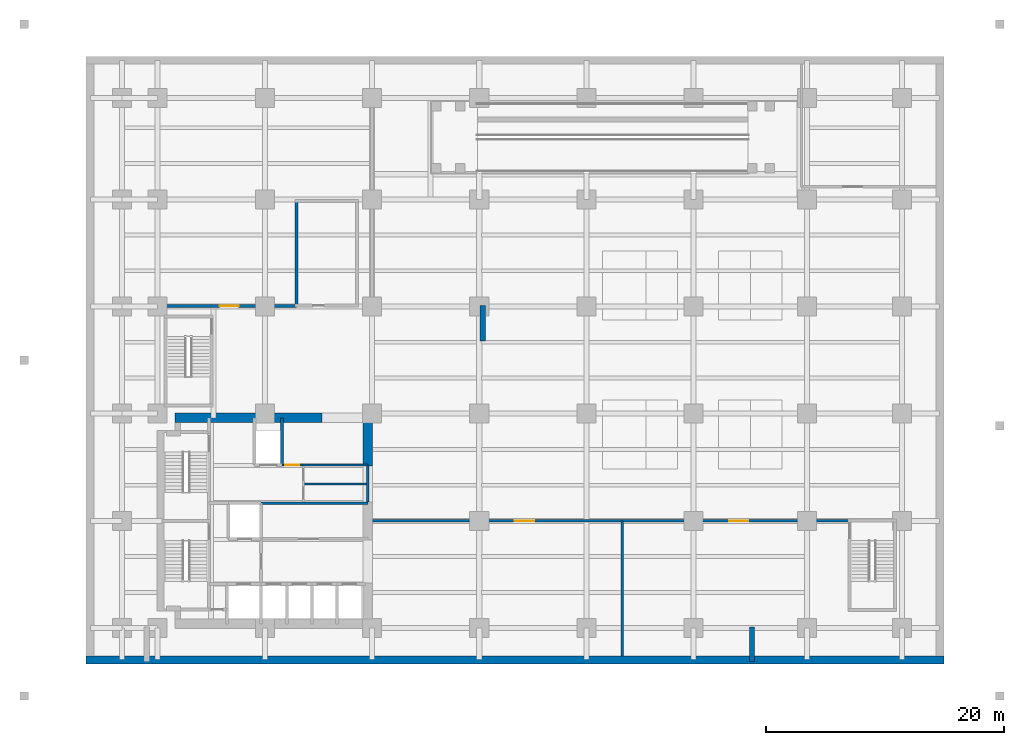
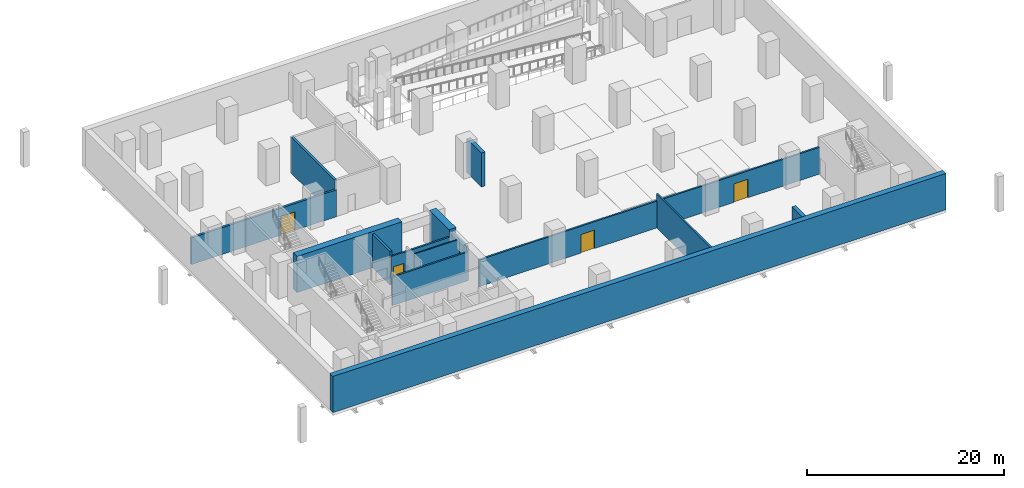
# One storey, part 6 of 10: 15 walls, 4 doors, 4 openings.
"""IFC4 building model written with IfcOpenShell, lengths in metres."""

from ifc_helpers import new_model, si_unit, direction, frame, frame_2d, origin, place, context, subcontext, project, spatial, rectangle, extrude, material, layer, layer_set, type_object, element, fill, save


model = new_model("IFC4")

# Units and contexts
model_context = context("Model", 3, precision=1e-05, world=origin(), true_north=direction((0.0, 1.0)))
body_context = subcontext(model_context, "Body", "Model", "MODEL_VIEW")
ifc_project = project(units=[si_unit("LENGTHUNIT", "METRE"), si_unit("AREAUNIT", "SQUARE_METRE"), si_unit("VOLUMEUNIT", "CUBIC_METRE"), si_unit("PLANEANGLEUNIT", "RADIAN"), si_unit("MASSUNIT", "GRAM", prefix="KILO")], contexts=[model_context])

# Site, building, storey
site_placement = place(None, origin())
site = spatial("IfcSite", under=ifc_project, at=site_placement, CompositionType="ELEMENT")
building_placement = place(site_placement, origin())
building = spatial("IfcBuilding", under=site, at=building_placement, Name="Mawjdan Bourse Tower", CompositionType="ELEMENT")
storey_placement = place(building_placement, frame((0.0, 0.0, -4.5)))
storey = spatial("IfcBuildingStorey", under=building, at=storey_placement, Name="B01", CompositionType="ELEMENT", Elevation=-4.5)

# Wall, opening, door
ifc_material_1 = material(Name="Gypsum Fireboard Assembly")
ifc_layer_1 = layer(ifc_material_1, 0.199951171875)
ifc_layer_set_1 = layer_set([ifc_layer_1], Name="Gypsum Fireboard Assembly")
wall_type_1 = type_object("IfcWallType", Name="WL-CMP-200", PredefinedType="PARTITIONING", material=ifc_layer_set_1)
wall_1_placement = place(storey_placement, frame((16.449951171875, 16.699951171875, 0.0), z_axis=(0.0, 0.0, 1.0), x_axis=(1.0, 0.0, 0.0)))
wall_1 = element("IfcWall", 1, at=wall_1_placement, inside=storey, type_object=wall_type_1, Name="B01 Basement Core Header South Wall", PredefinedType="PARTITIONING", context=body_context, shape_type="SweptSolid", body=[
    extrude(rectangle(XDim=7.199951171875, YDim=0.199951171875, at=frame_2d((3.60009765625, 0.0))), origin(), (0.0, 0.0, 1.0), 3.572998046875),
])
opening_1_placement = place(wall_1_placement, frame((0.25, 0.0, 0.0)))
opening_1 = element("IfcOpeningElement", 2, at=opening_1_placement, cuts=wall_1, Name="Opening PD-B01-10", PredefinedType="OPENING", context=body_context, shape_type="SweptSolid", body=[
    extrude(rectangle(XDim=1.199951171875, YDim=2.199951171875, at=frame_2d((0.60009765625, 1.10009765625))), frame((0.0, 0.10986328125, 0.0), z_axis=(0.0, -1.0, 0.0), x_axis=(1.0, 0.0, 0.0)), (0.0, 0.0, 1.0), 0.219970703125),
])
ifc_material_2 = material(Name="Fire-Rated Steel Leaf", Category="steel")
door_type_1 = type_object("IfcDoorType", Name="FD-FFL-1200", OperationType="NOTDEFINED", PredefinedType="DOOR", material=ifc_material_2)
door_1_placement = place(opening_1_placement, origin())
door_1 = element("IfcDoor", 3, at=door_1_placement, inside=storey, type_object=door_type_1, Name="B01 Core Header Room Door PD-B01-10", OperationType="SINGLE_SWING_RIGHT", OverallHeight=2.199951171875, OverallWidth=1.199951171875, PredefinedType="DOOR", context=body_context, shape_type="SweptSolid", body=[
    extrude(rectangle(XDim=1.199951171875, YDim=2.199951171875, at=frame_2d((0.60009765625, 1.10009765625))), frame((0.0, 0.02490234375, 0.0), z_axis=(0.0, -1.0, 0.0), x_axis=(1.0, 0.0, 0.0)), (0.0, 0.0, 1.0), 0.050048828125),
])
fill(opening_1, door_1)

# Walls
wall_2_placement = place(storey_placement, frame((14.699951171875, 13.5, 0.0), z_axis=(0.0, 0.0, 1.0), x_axis=(1.0, 0.0, 0.0)))
element("IfcWall", 4, at=wall_2_placement, inside=storey, type_object=wall_type_1, Name="B01 Basement Switchroom North Wall", PredefinedType="PARTITIONING", context=body_context, shape_type="SweptSolid", body=[
    extrude(rectangle(XDim=8.949951171875, YDim=0.199951171875, at=frame_2d((4.47509765625, 0.0))), origin(), (0.0, 0.0, 1.0), 3.572998046875),
])
wall_3_placement = place(storey_placement, frame((23.64990234375, 13.60009765625, 0.0), z_axis=(0.0, 0.0, 1.0), x_axis=(0.0, 1.0, 0.0)))
element("IfcWall", 5, at=wall_3_placement, inside=storey, type_object=wall_type_1, Name="B01 Core Restroom East Enclosing Wall", PredefinedType="PARTITIONING", context=body_context, shape_type="SweptSolid", body=[
    extrude(rectangle(XDim=3.0, YDim=0.199951171875, at=frame_2d((1.5, 0.0))), origin(), (0.0, 0.0, 1.0), 4.18994140625),
])
wall_4_placement = place(storey_placement, frame((45.0, 0.64990234375, 0.0), z_axis=(0.0, 0.0, 1.0), x_axis=(0.0, 1.0, 0.0)))
element("IfcWall", 6, at=wall_4_placement, inside=storey, type_object=wall_type_1, Name="B01 Basement South Plant Split Wall", PredefinedType="PARTITIONING", context=body_context, shape_type="SweptSolid", body=[
    extrude(rectangle(XDim=11.35009765625, YDim=0.199951171875, at=frame_2d((5.675048828125, 0.0))), origin(), (0.0, 0.0, 1.0), 4.18994140625),
])

# Wall, opening, door
wall_5_placement = place(storey_placement, frame((24.0, 12.0, 0.0), z_axis=(0.0, 0.0, 1.0), x_axis=(1.0, 0.0, 0.0)))
wall_5 = element("IfcWall", 7, at=wall_5_placement, inside=storey, type_object=wall_type_1, Name="B01 KAHRAMAA HV Substation Switchroom North Wall", PredefinedType="PARTITIONING", context=body_context, shape_type="SweptSolid", body=[
    extrude(rectangle(XDim=21.0, YDim=0.199951171875, at=frame_2d((10.5, 0.0))), origin(), (0.0, 0.0, 1.0), 3.333984375),
])
opening_2_placement = place(wall_5_placement, frame((12.0, 0.0, 0.0)))
opening_2 = element("IfcOpeningElement", 8, at=opening_2_placement, cuts=wall_5, Name="Opening PD-B01-22", PredefinedType="OPENING", context=body_context, shape_type="SweptSolid", body=[
    extrude(rectangle(XDim=1.60009765625, YDim=2.300048828125, at=frame_2d((0.800048828125, 1.14990234375))), frame((0.0, 0.10986328125, 0.0), z_axis=(0.0, -1.0, 0.0), x_axis=(1.0, 0.0, 0.0)), (0.0, 0.0, 1.0), 0.219970703125),
])
ifc_material_3 = material(Name="Fire-Rated Acoustic Steel", Category="steel")
door_type_2 = type_object("IfcDoorType", Name="FD-PLT-1600", OperationType="DOUBLE_DOOR_SINGLE_SWING", PredefinedType="DOOR", material=ifc_material_3)
door_2_placement = place(opening_2_placement, origin())
door_2 = element("IfcDoor", 9, at=door_2_placement, inside=storey, type_object=door_type_2, Name="B01 KAHRAMAA HV Substation Switchroom Door PD-B01-22", OperationType="DOUBLE_DOOR_SINGLE_SWING", OverallHeight=2.300048828125, OverallWidth=1.60009765625, PredefinedType="DOOR", context=body_context, shape_type="SweptSolid", body=[
    extrude(rectangle(XDim=1.60009765625, YDim=2.300048828125, at=frame_2d((0.800048828125, 1.14990234375))), frame((0.0, 0.02490234375, 0.0), z_axis=(0.0, -1.0, 0.0), x_axis=(1.0, 0.0, 0.0)), (0.0, 0.0, 1.0), 0.050048828125),
])
fill(opening_2, door_2)

wall_6_placement = place(storey_placement, frame((45.0, 12.0, 0.0), z_axis=(0.0, 0.0, 1.0), x_axis=(1.0, 0.0, 0.0)))
wall_6 = element("IfcWall", 10, at=wall_6_placement, inside=storey, type_object=wall_type_1, Name="B01 Standby Diesel Generator & UPS Hall North Wall", PredefinedType="PARTITIONING", context=body_context, shape_type="SweptSolid", body=[
    extrude(rectangle(XDim=19.080078125, YDim=0.199951171875, at=frame_2d((9.5400390625, 0.0))), origin(), (0.0, 0.0, 1.0), 3.333984375),
])
opening_3_placement = place(wall_6_placement, frame((9.0, 0.0, 0.0)))
opening_3 = element("IfcOpeningElement", 11, at=opening_3_placement, cuts=wall_6, Name="Opening PD-B01-23", PredefinedType="OPENING", context=body_context, shape_type="SweptSolid", body=[
    extrude(rectangle(XDim=1.60009765625, YDim=2.300048828125, at=frame_2d((0.800048828125, 1.14990234375))), frame((0.0, 0.10986328125, 0.0), z_axis=(0.0, -1.0, 0.0), x_axis=(1.0, 0.0, 0.0)), (0.0, 0.0, 1.0), 0.219970703125),
])
door_3_placement = place(opening_3_placement, origin())
door_3 = element("IfcDoor", 12, at=door_3_placement, inside=storey, type_object=door_type_2, Name="B01 Standby Diesel Generator & UPS Hall Door PD-B01-23", OperationType="DOUBLE_DOOR_SINGLE_SWING", OverallHeight=2.300048828125, OverallWidth=1.60009765625, PredefinedType="DOOR", context=body_context, shape_type="SweptSolid", body=[
    extrude(rectangle(XDim=1.60009765625, YDim=2.300048828125, at=frame_2d((0.800048828125, 1.14990234375))), frame((0.0, 0.02490234375, 0.0), z_axis=(0.0, -1.0, 0.0), x_axis=(1.0, 0.0, 0.0)), (0.0, 0.0, 1.0), 0.050048828125),
])
fill(opening_3, door_3)

# Walls
ifc_material_4 = material(Name="Concrete C60/75", Category="concrete")
ifc_layer_2 = layer(ifc_material_4, 0.449951171875)
ifc_layer_set_2 = layer_set([ifc_layer_2], Name="Concrete C60/75")
wall_type_2 = type_object("IfcWallType", Name="WL-CORE-450", PredefinedType="SHEAR", material=ifc_layer_set_2)
wall_7_placement = place(storey_placement, frame((33.300048828125, 27.10009765625, 0.0), z_axis=(0.0, 0.0, 1.0), x_axis=(0.0, 1.0, 0.0)))
element("IfcWall", 13, at=wall_7_placement, inside=storey, type_object=wall_type_2, Name="B01 Archway Concourse Step-Free Ramp Support Wall", PredefinedType="SHEAR", context=body_context, shape_type="SweptSolid", body=[
    extrude(rectangle(XDim=2.97998046875, YDim=0.449951171875, at=frame_2d((1.489990234375, 0.0))), origin(), (0.0, 0.0, 1.0), 4.219970703125),
])
wall_8_placement = place(storey_placement, frame((55.89990234375, 0.199951171875, 0.0), z_axis=(0.0, 0.0, 1.0), x_axis=(0.0, 1.0, 0.0)))
element("IfcWall", 14, at=wall_8_placement, inside=storey, type_object=wall_type_2, Name="B01 South-East Clearing Step-Free Ramp Support Wall", PredefinedType="SHEAR", context=body_context, shape_type="SweptSolid", body=[
    extrude(rectangle(XDim=2.880126953125, YDim=0.449951171875, at=frame_2d((1.43994140625, 0.0))), origin(), (0.0, 0.0, 1.0), 4.219970703125),
])
ifc_material_5 = material(Name="Concrete C80/95", Category="concrete")
ifc_layer_3 = layer(ifc_material_5, 0.800048828125)
ifc_layer_set_3 = layer_set([ifc_layer_3], Name="Concrete C80/95")
wall_type_3 = type_object("IfcWallType", Name="WL-CORE-800", PredefinedType="SHEAR", material=ifc_layer_set_3)
wall_9_placement = place(storey_placement, frame((7.47509765625, 20.64990234375, 0.0), z_axis=(0.0, 0.0, 1.0), x_axis=(1.0, 0.0, 0.0)))
element("IfcWall", 15, at=wall_9_placement, inside=storey, type_object=wall_type_3, Name="B01 Rear Core Shear Wall N", PredefinedType="SHEAR", context=body_context, shape_type="SweptSolid", body=[
    extrude(rectangle(XDim=12.324951171875, YDim=0.800048828125, at=frame_2d((6.16259765625, 0.0))), origin(), (0.0, 0.0, 1.0), 4.5),
])
wall_10_placement = place(storey_placement, frame((23.64990234375, 16.60009765625, 0.0), z_axis=(0.0, 0.0, 1.0), x_axis=(0.0, 1.0, 0.0)))
element("IfcWall", 16, at=wall_10_placement, inside=storey, type_object=wall_type_3, Name="B01 Rear Core Shear Wall E3", PredefinedType="SHEAR", context=body_context, shape_type="SweptSolid", body=[
    extrude(rectangle(XDim=4.0498046875, YDim=0.800048828125, at=frame_2d((2.02490234375, 0.0))), origin(), (0.0, 0.0, 1.0), 4.5),
])
ifc_material_6 = material(Name="Gypsum Acoustic Partition")
ifc_layer_4 = layer(ifc_material_6, 0.14990234375)
ifc_layer_set_4 = layer_set([ifc_layer_4], Name="Gypsum Acoustic Partition")
wall_type_4 = type_object("IfcWallType", Name="WL-PRT-150", PredefinedType="PARTITIONING", material=ifc_layer_set_4)
wall_11_placement = place(storey_placement, frame((18.25, 15.10009765625, 0.0), z_axis=(0.0, 0.0, 1.0), x_axis=(1.0, 0.0, 0.0)))
element("IfcWall", 17, at=wall_11_placement, inside=storey, type_object=wall_type_4, Name="B01 Core Restroom Horizontal Split", PredefinedType="PARTITIONING", context=body_context, shape_type="SweptSolid", body=[
    extrude(rectangle(XDim=5.39990234375, YDim=0.14990234375, at=frame_2d((2.699951171875, 0.0))), origin(), (0.0, 0.0, 1.0), 4.18994140625),
])
ifc_layer_5 = layer(ifc_material_4, 0.64990234375)
ifc_layer_set_5 = layer_set([ifc_layer_5], Name="Concrete C60/75")
wall_type_5 = type_object("IfcWallType", Name="WL-RET-650", PredefinedType="USERDEFINED", material=ifc_layer_set_5)
wall_12_placement = place(storey_placement, frame((0.0, 0.324951171875, 0.0), z_axis=(0.0, 0.0, 1.0), x_axis=(1.0, 0.0, 0.0)))
element("IfcWall", 18, at=wall_12_placement, inside=storey, type_object=wall_type_5, Name="B01 Perimeter Diaphragm Retaining Wall S", ObjectType="RETAINING", PredefinedType="USERDEFINED", context=body_context, shape_type="SweptSolid", body=[
    extrude(rectangle(XDim=72.0, YDim=0.64990234375, at=frame_2d((36.0, 0.0))), origin(), (0.0, 0.0, 1.0), 4.5),
])
ifc_material_7 = material(Name="Concrete C50/60", Category="concrete")
ifc_layer_6 = layer(ifc_material_7, 0.25)
ifc_layer_set_6 = layer_set([ifc_layer_6], Name="Concrete C50/60")
wall_type_6 = type_object("IfcWallType", Name="WL-SHFT-250", PredefinedType="PARTITIONING", material=ifc_layer_set_6)
wall_13_placement = place(storey_placement, frame((16.449951171875, 16.699951171875, 0.0), z_axis=(0.0, 0.0, 1.0), x_axis=(0.0, 1.0, 0.0)))
element("IfcWall", 19, at=wall_13_placement, inside=storey, type_object=wall_type_6, Name="B01 SVL-01 East Shaft Wall", PredefinedType="PARTITIONING", context=body_context, shape_type="SweptSolid", body=[
    extrude(rectangle(XDim=3.949951171875, YDim=0.25, at=frame_2d((1.97509765625, 0.0))), origin(), (0.0, 0.0, 1.0), 4.18994140625),
])

# Wall, opening, door
wall_14_placement = place(storey_placement, frame((0.64990234375, 30.050048828125, 0.0), z_axis=(0.0, 0.0, 1.0), x_axis=(1.0, 0.0, 0.0)))
wall_14 = element("IfcWall", 20, at=wall_14_placement, inside=storey, type_object=wall_type_6, Name="B01 Facilities & Security Equipment Store South Vault Wall", PredefinedType="PARTITIONING", context=body_context, shape_type="SweptSolid", body=[
    extrude(rectangle(XDim=17.030029296875, YDim=0.25, at=frame_2d((8.51513671875, 0.0))), origin(), (0.0, 0.0, 1.0), 3.333984375),
])
opening_4_placement = place(wall_14_placement, frame((10.550048828125, 0.0, 0.0)))
opening_4 = element("IfcOpeningElement", 21, at=opening_4_placement, cuts=wall_14, Name="Opening VD-B01-20", PredefinedType="OPENING", context=body_context, shape_type="SweptSolid", body=[
    extrude(rectangle(XDim=1.60009765625, YDim=2.300048828125, at=frame_2d((0.800048828125, 1.14990234375))), frame((0.0, 0.135009765625, 0.0), z_axis=(0.0, -1.0, 0.0), x_axis=(1.0, 0.0, 0.0)), (0.0, 0.0, 1.0), 0.27001953125),
])
door_4_placement = place(opening_4_placement, origin())
door_4 = element("IfcDoor", 22, at=door_4_placement, inside=storey, type_object=door_type_2, Name="B01 Facilities & Security Equipment Store Security Door VD-B01-20", OperationType="DOUBLE_DOOR_SINGLE_SWING", OverallHeight=2.300048828125, OverallWidth=1.60009765625, PredefinedType="DOOR", context=body_context, shape_type="SweptSolid", body=[
    extrude(rectangle(XDim=1.60009765625, YDim=2.300048828125, at=frame_2d((0.800048828125, 1.14990234375))), frame((0.0, 0.02490234375, 0.0), z_axis=(0.0, -1.0, 0.0), x_axis=(1.0, 0.0, 0.0)), (0.0, 0.0, 1.0), 0.050048828125),
])
fill(opening_4, door_4)

# Wall
ifc_layer_7 = layer(ifc_material_7, 0.25)
ifc_layer_set_7 = layer_set([ifc_layer_7], Name="Concrete C50/60")
wall_type_7 = type_object("IfcWallType", Name="WL-STRW-250", PredefinedType="SHEAR", material=ifc_layer_set_7)
wall_15_placement = place(storey_placement, frame((17.679931640625, 30.080078125, 0.0), z_axis=(0.0, 0.0, 1.0), x_axis=(0.0, 1.0, 0.0)))
element("IfcWall", 23, at=wall_15_placement, inside=storey, type_object=wall_type_7, Name="B01 ST4 Sub-Shaft West Wall", PredefinedType="SHEAR", context=body_context, shape_type="SweptSolid", body=[
    extrude(rectangle(XDim=8.7900390625, YDim=0.25, at=frame_2d((4.39501953125, 0.0))), origin(), (0.0, 0.0, 1.0), 4.5),
])

save(model, "model.ifc")
